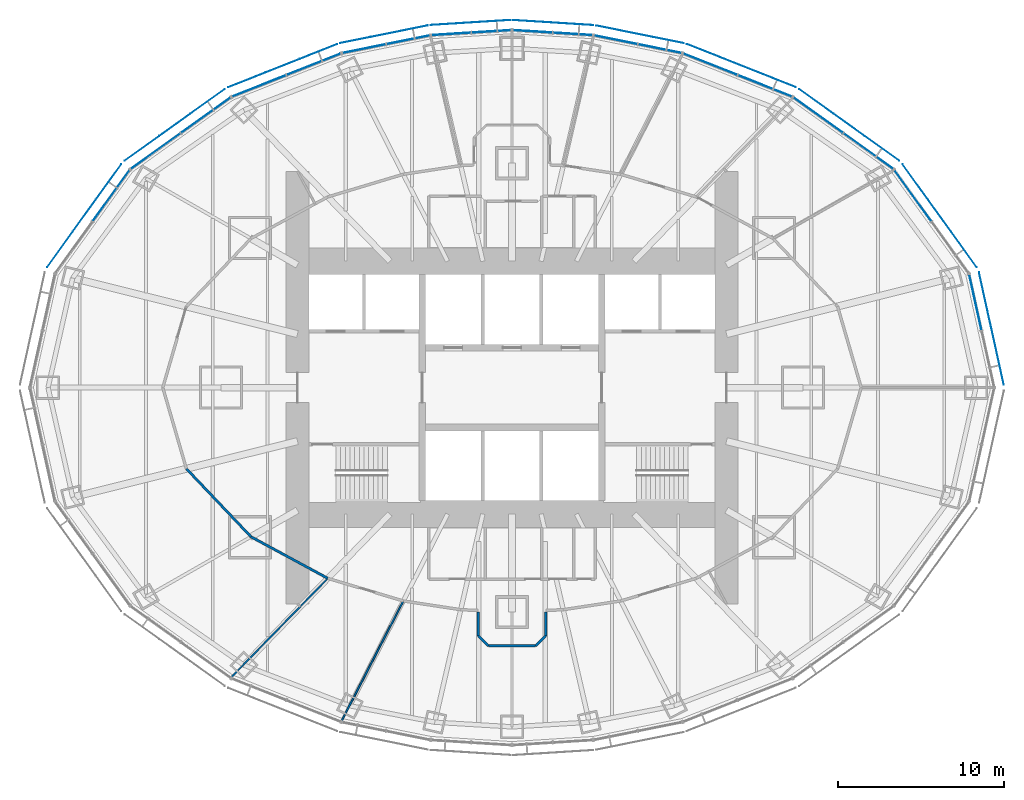
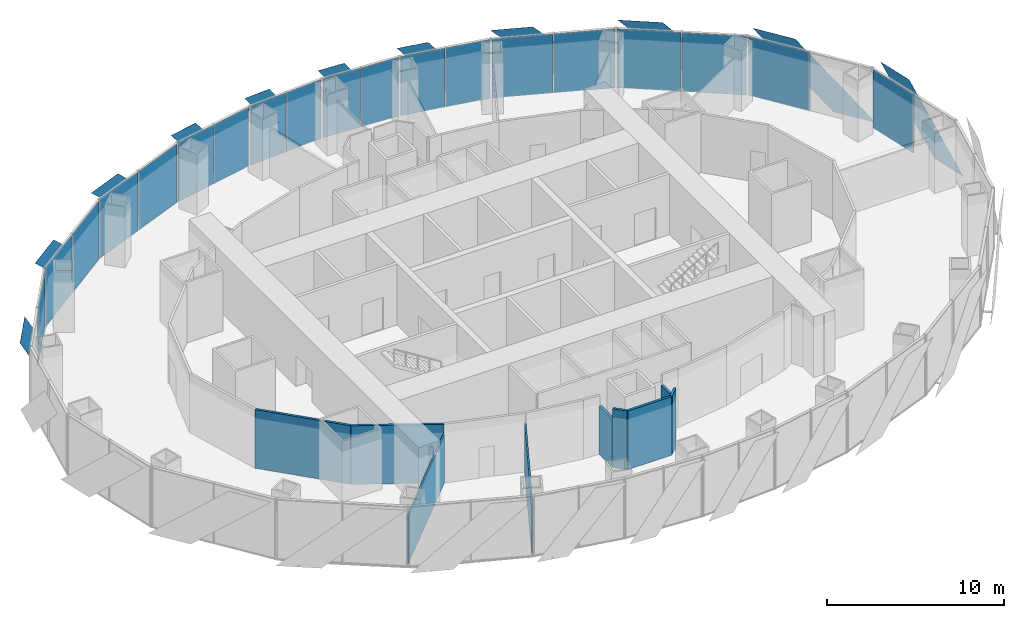
# One storey, part 10 of 18: 30 plates, 9 walls, 11 elements without a shape of their own.
"""IFC4 building model written with IfcOpenShell, lengths in metres."""

from ifc_helpers import new_model, si_unit, direction, frame, frame_2d, origin, origin_2d, place, context, subcontext, project, spatial, polyline, rectangle, outline, extrude, material, layer, layer_set, type_object, element, aggregate, save


model = new_model("IFC4")

# Units and contexts
model_context = context("Model", 3, precision=1e-05, world=origin(), true_north=direction((0.0, 1.0)))
body_context = subcontext(model_context, "Body", "Model", "MODEL_VIEW")
ifc_project = project(units=[si_unit("LENGTHUNIT", "METRE"), si_unit("AREAUNIT", "SQUARE_METRE"), si_unit("VOLUMEUNIT", "CUBIC_METRE"), si_unit("PLANEANGLEUNIT", "RADIAN"), si_unit("MASSUNIT", "GRAM", prefix="KILO")], contexts=[model_context])

# Site, building, storey
site_placement = place(None, origin())
site = spatial("IfcSite", under=ifc_project, at=site_placement, CompositionType="ELEMENT")
building_placement = place(site_placement, origin())
building = spatial("IfcBuilding", under=site, at=building_placement, Name="Lantaw Convention Tower", CompositionType="ELEMENT")
storey_placement = place(building_placement, frame((0.0, 0.0, 180.39990234375)))
storey = spatial("IfcBuildingStorey", under=building, at=storey_placement, Name="L42", CompositionType="ELEMENT", Elevation=180.39990234375)

# Curtain wall, plate
ifc_material_1 = material(Name="Aluminium framed curtain wall", Category="aluminium")
curtain_wall_type = type_object("IfcCurtainWallType", Name="Office curtain wall low rise, pale aluminium", PredefinedType="USERDEFINED", material=ifc_material_1)
curtain_wall_1_placement = place(storey_placement, origin())
curtain_wall_1 = element("IfcCurtainWall", 1, at=curtain_wall_1_placement, inside=storey, type_object=curtain_wall_type, Name="Office curtain wall low rise, pale aluminium L42", ObjectType="UNITISED CURTAIN WALL", PredefinedType="USERDEFINED")
ifc_material_2 = material(Name="Clear insulating glass", Category="glass")
ifc_layer_1 = layer(ifc_material_2, 0.028076171875)
ifc_layer_set_1 = layer_set([ifc_layer_1], Name="CW-O1 panel 28")
plate_type_1 = type_object("IfcPlateType", Name="CW-O1 panel 28", PredefinedType="CURTAIN_PANEL", material=ifc_layer_set_1)
plate_1_placement = place(storey_placement, frame((27.868896484375, 5.1240234375, -0.0849609375), z_axis=(0.0, 0.0, 1.0), x_axis=(-0.215546166174, 0.9764936509, 0.0)))
plate_1 = element("IfcPlate", 2, at=plate_1_placement, type_object=plate_type_1, Name="CW-O1 panel 2.1", PredefinedType="CURTAIN_PANEL", context=body_context, shape_type="SweptSolid", body=[
    extrude(rectangle(XDim=3.41162109375, YDim=0.028076171875, at=origin_2d()), origin(), (0.0, 0.0, 1.0), 4.070068359375),
])
aggregate(curtain_wall_1, [plate_1])

curtain_wall_2_placement = place(storey_placement, origin())
curtain_wall_2 = element("IfcCurtainWall", 3, at=curtain_wall_2_placement, inside=storey, type_object=curtain_wall_type, Name="Office curtain wall low rise, pale aluminium L42", ObjectType="UNITISED CURTAIN WALL", PredefinedType="USERDEFINED")
plate_2_placement = place(storey_placement, frame((24.108154296875, 11.5439453125, -0.0849609375), z_axis=(0.0, 0.0, 1.0), x_axis=(-0.584512597221, 0.811384633629, 0.0)))
plate_2 = element("IfcPlate", 4, at=plate_2_placement, type_object=plate_type_1, Name="CW-O1 panel 2.1", PredefinedType="CURTAIN_PANEL", context=body_context, shape_type="SweptSolid", body=[
    extrude(rectangle(XDim=3.767333984375, YDim=0.028076171875, at=origin_2d()), origin(), (0.0, 0.0, 1.0), 4.070068359375),
])
aggregate(curtain_wall_2, [plate_2])

# Curtain wall, plates
curtain_wall_3_placement = place(storey_placement, origin())
curtain_wall_3 = element("IfcCurtainWall", 5, at=curtain_wall_3_placement, inside=storey, type_object=curtain_wall_type, Name="Office curtain wall low rise, pale aluminium L42", ObjectType="UNITISED CURTAIN WALL", PredefinedType="USERDEFINED")
plate_3_placement = place(storey_placement, frame((21.43408203125, 14.2236328125, -0.0849609375), z_axis=(0.0, 0.0, 1.0), x_axis=(-0.813208325995, 0.581972695693, 0.0)))
plate_3 = element("IfcPlate", 6, at=plate_3_placement, type_object=plate_type_1, Name="CW-O1 panel 1.1", PredefinedType="CURTAIN_PANEL", context=body_context, shape_type="SweptSolid", body=[
    extrude(rectangle(XDim=3.645263671875, YDim=0.028076171875, at=origin_2d()), origin(), (0.0, 0.0, 1.0), 4.070068359375),
])
plate_4_placement = place(storey_placement, frame((18.416748046875, 16.383056640625, -0.0849609375), z_axis=(0.0, 0.0, 1.0), x_axis=(-0.813208325995, 0.581972695693, 0.0)))
plate_4 = element("IfcPlate", 7, at=plate_4_placement, type_object=plate_type_1, Name="CW-O1 panel 2.1", PredefinedType="CURTAIN_PANEL", context=body_context, shape_type="SweptSolid", body=[
    extrude(rectangle(XDim=3.645263671875, YDim=0.028076171875, at=origin_2d()), origin(), (0.0, 0.0, 1.0), 4.070068359375),
])
aggregate(curtain_wall_3, [plate_3, plate_4])

curtain_wall_4_placement = place(storey_placement, origin())
curtain_wall_4 = element("IfcCurtainWall", 8, at=curtain_wall_4_placement, inside=storey, type_object=curtain_wall_type, Name="Office curtain wall low rise, pale aluminium L42", ObjectType="UNITISED CURTAIN WALL", PredefinedType="USERDEFINED")
plate_5_placement = place(storey_placement, frame((15.208251953125, 18.145263671875, -0.0849609375), z_axis=(0.0, 0.0, 1.0), x_axis=(-0.929547687544, 0.368701907483, 0.0)))
plate_5 = element("IfcPlate", 9, at=plate_5_placement, type_object=plate_type_1, Name="CW-O1 panel 1.1", PredefinedType="CURTAIN_PANEL", context=body_context, shape_type="SweptSolid", body=[
    extrude(rectangle(XDim=3.470703125, YDim=0.028076171875, at=origin_2d()), origin(), (0.0, 0.0, 1.0), 4.070068359375),
])
plate_6_placement = place(storey_placement, frame((11.921630859375, 19.448974609375, -0.0849609375), z_axis=(0.0, 0.0, 1.0), x_axis=(-0.929547687544, 0.368701907483, 0.0)))
plate_6 = element("IfcPlate", 10, at=plate_6_placement, type_object=plate_type_1, Name="CW-O1 panel 2.1", PredefinedType="CURTAIN_PANEL", context=body_context, shape_type="SweptSolid", body=[
    extrude(rectangle(XDim=3.470703125, YDim=0.028076171875, at=origin_2d()), origin(), (0.0, 0.0, 1.0), 4.070068359375),
])
aggregate(curtain_wall_4, [plate_5, plate_6])

curtain_wall_5_placement = place(storey_placement, origin())
curtain_wall_5 = element("IfcCurtainWall", 11, at=curtain_wall_5_placement, inside=storey, type_object=curtain_wall_type, Name="Office curtain wall low rise, pale aluminium L42", ObjectType="UNITISED CURTAIN WALL", PredefinedType="USERDEFINED")
plate_7_placement = place(storey_placement, frame((8.893310546875, 20.3857421875, -0.0849609375), z_axis=(0.0, 0.0, 1.0), x_axis=(-0.980301514912, 0.197506809659, 0.0)))
plate_7 = element("IfcPlate", 12, at=plate_7_placement, type_object=plate_type_1, Name="CW-O1 panel 1.1", PredefinedType="CURTAIN_PANEL", context=body_context, shape_type="SweptSolid", body=[
    extrude(rectangle(XDim=2.634033203125, YDim=0.028076171875, at=origin_2d()), origin(), (0.0, 0.0, 1.0), 4.070068359375),
])
plate_8_placement = place(storey_placement, frame((6.247314453125, 20.9189453125, -0.0849609375), z_axis=(0.0, 0.0, 1.0), x_axis=(-0.980301514912, 0.197506809659, 0.0)))
plate_8 = element("IfcPlate", 13, at=plate_8_placement, type_object=plate_type_1, Name="CW-O1 panel 2.1", PredefinedType="CURTAIN_PANEL", context=body_context, shape_type="SweptSolid", body=[
    extrude(rectangle(XDim=2.634033203125, YDim=0.028076171875, at=origin_2d()), origin(), (0.0, 0.0, 1.0), 4.070068359375),
])
aggregate(curtain_wall_5, [plate_7, plate_8])

curtain_wall_6_placement = place(storey_placement, origin())
curtain_wall_6 = element("IfcCurtainWall", 14, at=curtain_wall_6_placement, inside=storey, type_object=curtain_wall_type, Name="Office curtain wall low rise, pale aluminium L42", ObjectType="UNITISED CURTAIN WALL", PredefinedType="USERDEFINED")
plate_9_placement = place(storey_placement, frame((3.653076171875, 21.269775390625, -0.0849609375), z_axis=(0.0, 0.0, 1.0), x_axis=(-0.998022035978, 0.062865059466, 0.0)))
plate_9 = element("IfcPlate", 15, at=plate_9_placement, type_object=plate_type_1, Name="CW-O1 panel 1.1", PredefinedType="CURTAIN_PANEL", context=body_context, shape_type="SweptSolid", body=[
    extrude(rectangle(XDim=2.353515625, YDim=0.028076171875, at=origin_2d()), origin(), (0.0, 0.0, 1.0), 4.070068359375),
])
plate_10_placement = place(storey_placement, frame((1.2392578125, 21.421875, -0.0849609375), z_axis=(0.0, 0.0, 1.0), x_axis=(-0.998022035978, 0.062865059466, 0.0)))
plate_10 = element("IfcPlate", 16, at=plate_10_placement, type_object=plate_type_1, Name="CW-O1 panel 2.1", PredefinedType="CURTAIN_PANEL", context=body_context, shape_type="SweptSolid", body=[
    extrude(rectangle(XDim=2.353515625, YDim=0.028076171875, at=origin_2d()), origin(), (0.0, 0.0, 1.0), 4.070068359375),
])
aggregate(curtain_wall_6, [plate_9, plate_10])

curtain_wall_7_placement = place(storey_placement, origin())
curtain_wall_7 = element("IfcCurtainWall", 17, at=curtain_wall_7_placement, inside=storey, type_object=curtain_wall_type, Name="Office curtain wall low rise, pale aluminium L42", ObjectType="UNITISED CURTAIN WALL", PredefinedType="USERDEFINED")
plate_11_placement = place(storey_placement, frame((-1.2392578125, 21.421875, -0.0849609375), z_axis=(0.0, 0.0, 1.0), x_axis=(-0.998022035978, -0.062865059466, 0.0)))
plate_11 = element("IfcPlate", 18, at=plate_11_placement, type_object=plate_type_1, Name="CW-O1 panel 1.1", PredefinedType="CURTAIN_PANEL", context=body_context, shape_type="SweptSolid", body=[
    extrude(rectangle(XDim=2.353515625, YDim=0.028076171875, at=origin_2d()), origin(), (0.0, 0.0, 1.0), 4.070068359375),
])
plate_12_placement = place(storey_placement, frame((-3.653076171875, 21.269775390625, -0.0849609375), z_axis=(0.0, 0.0, 1.0), x_axis=(-0.998022035978, -0.062865059466, 0.0)))
plate_12 = element("IfcPlate", 19, at=plate_12_placement, type_object=plate_type_1, Name="CW-O1 panel 2.1", PredefinedType="CURTAIN_PANEL", context=body_context, shape_type="SweptSolid", body=[
    extrude(rectangle(XDim=2.353515625, YDim=0.028076171875, at=origin_2d()), origin(), (0.0, 0.0, 1.0), 4.070068359375),
])
aggregate(curtain_wall_7, [plate_11, plate_12])

curtain_wall_8_placement = place(storey_placement, origin())
curtain_wall_8 = element("IfcCurtainWall", 20, at=curtain_wall_8_placement, inside=storey, type_object=curtain_wall_type, Name="Office curtain wall low rise, pale aluminium L42", ObjectType="UNITISED CURTAIN WALL", PredefinedType="USERDEFINED")
plate_13_placement = place(storey_placement, frame((-6.247314453125, 20.9189453125, -0.0849609375), z_axis=(0.0, 0.0, 1.0), x_axis=(-0.980301514912, -0.197506809659, 0.0)))
plate_13 = element("IfcPlate", 21, at=plate_13_placement, type_object=plate_type_1, Name="CW-O1 panel 1.1", PredefinedType="CURTAIN_PANEL", context=body_context, shape_type="SweptSolid", body=[
    extrude(rectangle(XDim=2.634033203125, YDim=0.028076171875, at=origin_2d()), origin(), (0.0, 0.0, 1.0), 4.070068359375),
])
plate_14_placement = place(storey_placement, frame((-8.893310546875, 20.3857421875, -0.0849609375), z_axis=(0.0, 0.0, 1.0), x_axis=(-0.980301514912, -0.197506809659, 0.0)))
plate_14 = element("IfcPlate", 22, at=plate_14_placement, type_object=plate_type_1, Name="CW-O1 panel 2.1", PredefinedType="CURTAIN_PANEL", context=body_context, shape_type="SweptSolid", body=[
    extrude(rectangle(XDim=2.634033203125, YDim=0.028076171875, at=origin_2d()), origin(), (0.0, 0.0, 1.0), 4.070068359375),
])
aggregate(curtain_wall_8, [plate_13, plate_14])

curtain_wall_9_placement = place(storey_placement, origin())
curtain_wall_9 = element("IfcCurtainWall", 23, at=curtain_wall_9_placement, inside=storey, type_object=curtain_wall_type, Name="Office curtain wall low rise, pale aluminium L42", ObjectType="UNITISED CURTAIN WALL", PredefinedType="USERDEFINED")
plate_15_placement = place(storey_placement, frame((-11.921630859375, 19.448974609375, -0.0849609375), z_axis=(0.0, 0.0, 1.0), x_axis=(-0.929547687544, -0.368701907483, 0.0)))
plate_15 = element("IfcPlate", 24, at=plate_15_placement, type_object=plate_type_1, Name="CW-O1 panel 1.1", PredefinedType="CURTAIN_PANEL", context=body_context, shape_type="SweptSolid", body=[
    extrude(rectangle(XDim=3.470703125, YDim=0.028076171875, at=origin_2d()), origin(), (0.0, 0.0, 1.0), 4.070068359375),
])
plate_16_placement = place(storey_placement, frame((-15.208251953125, 18.145263671875, -0.0849609375), z_axis=(0.0, 0.0, 1.0), x_axis=(-0.929547687544, -0.368701907483, 0.0)))
plate_16 = element("IfcPlate", 25, at=plate_16_placement, type_object=plate_type_1, Name="CW-O1 panel 2.1", PredefinedType="CURTAIN_PANEL", context=body_context, shape_type="SweptSolid", body=[
    extrude(rectangle(XDim=3.470703125, YDim=0.028076171875, at=origin_2d()), origin(), (0.0, 0.0, 1.0), 4.070068359375),
])
aggregate(curtain_wall_9, [plate_15, plate_16])

curtain_wall_10_placement = place(storey_placement, origin())
curtain_wall_10 = element("IfcCurtainWall", 26, at=curtain_wall_10_placement, inside=storey, type_object=curtain_wall_type, Name="Office curtain wall low rise, pale aluminium L42", ObjectType="UNITISED CURTAIN WALL", PredefinedType="USERDEFINED")
plate_17_placement = place(storey_placement, frame((-18.416748046875, 16.383056640625, -0.0849609375), z_axis=(0.0, 0.0, 1.0), x_axis=(-0.813208325995, -0.581972695693, 0.0)))
plate_17 = element("IfcPlate", 27, at=plate_17_placement, type_object=plate_type_1, Name="CW-O1 panel 1.1", PredefinedType="CURTAIN_PANEL", context=body_context, shape_type="SweptSolid", body=[
    extrude(rectangle(XDim=3.645263671875, YDim=0.028076171875, at=origin_2d()), origin(), (0.0, 0.0, 1.0), 4.070068359375),
])
plate_18_placement = place(storey_placement, frame((-21.43408203125, 14.2236328125, -0.0849609375), z_axis=(0.0, 0.0, 1.0), x_axis=(-0.813208325995, -0.581972695693, 0.0)))
plate_18 = element("IfcPlate", 28, at=plate_18_placement, type_object=plate_type_1, Name="CW-O1 panel 2.1", PredefinedType="CURTAIN_PANEL", context=body_context, shape_type="SweptSolid", body=[
    extrude(rectangle(XDim=3.645263671875, YDim=0.028076171875, at=origin_2d()), origin(), (0.0, 0.0, 1.0), 4.070068359375),
])
aggregate(curtain_wall_10, [plate_17, plate_18])

# Curtain wall, plate
curtain_wall_11_placement = place(storey_placement, origin())
curtain_wall_11 = element("IfcCurtainWall", 29, at=curtain_wall_11_placement, inside=storey, type_object=curtain_wall_type, Name="Office curtain wall low rise, pale aluminium L42", ObjectType="UNITISED CURTAIN WALL", PredefinedType="USERDEFINED")
plate_19_placement = place(storey_placement, frame((-24.108154296875, 11.5439453125, -0.0849609375), z_axis=(0.0, 0.0, 1.0), x_axis=(-0.584512597221, -0.811384633629, 0.0)))
plate_19 = element("IfcPlate", 30, at=plate_19_placement, type_object=plate_type_1, Name="CW-O1 panel 1.1", PredefinedType="CURTAIN_PANEL", context=body_context, shape_type="SweptSolid", body=[
    extrude(rectangle(XDim=3.767333984375, YDim=0.028076171875, at=origin_2d()), origin(), (0.0, 0.0, 1.0), 4.070068359375),
])
aggregate(curtain_wall_11, [plate_19])

# Plates
ifc_material_3 = material(Name="Perforated aluminium sheet, pale silver finish", Category="aluminium")
ifc_layer_2 = layer(ifc_material_3, 0.006103515625)
ifc_layer_set_2 = layer_set([ifc_layer_2], Name="Perforated aluminium solar SCREEN panel")
plate_type_2 = type_object("IfcPlateType", Name="Perforated aluminium solar SCREEN panel", PredefinedType="SHEET", material=ifc_layer_set_2)
plate_20_placement = place(storey_placement, frame((29.5810546875, 0.179443359375, -0.1748046875), z_axis=(0.976497812463, 0.215527309509, 3.3329045e-05), x_axis=(-0.215527309629, 0.976497813005, 1.665e-09)))
element("IfcPlate", 31, at=plate_20_placement, inside=storey, type_object=plate_type_2, Name="Solar SCREEN panel", PredefinedType="SHEET", context=body_context, shape_type="SweptSolid", body=[
    extrude(outline(polyline([(0.0, 0.0), (2.3861843673609986, 0.0), (6.918240190546627, 4.339843740891906), (4.532108442157707, 4.339843748837556), (0.0, 0.0)])), origin(), (0.0, 0.0, -1.0), 0.006103515625),
])
plate_21_placement = place(storey_placement, frame((27.94970703125, 7.248046875, -0.1748046875), z_axis=(0.81139512159, 0.584498037099, 3.5888803e-05), x_axis=(-0.584498037475, 0.811395122112, -9.74e-10)))
element("IfcPlate", 32, at=plate_21_placement, inside=storey, type_object=plate_type_2, Name="Solar SCREEN panel", PredefinedType="SHEET", context=body_context, shape_type="SweptSolid", body=[
    extrude(outline(polyline([(0.0, 0.0), (2.628222178575422, -6.776263578034403e-21), (7.629778257969264, 4.339843760228519), (5.001754173906077, 4.339843755107391), (0.0, 0.0)])), origin(), (0.0, 0.0, -1.0), 0.006103515625),
])
plate_22_placement = place(storey_placement, frame((23.281005859375, 13.64697265625, -0.1748046875), z_axis=(0.582000183937, 0.813188653244, 1.1537794e-05), x_axis=(-0.813188653298, 0.582000183975, 0.0)))
element("IfcPlate", 33, at=plate_22_placement, inside=storey, type_object=plate_type_2, Name="Solar SCREEN panel", PredefinedType="SHEET", context=body_context, shape_type="SweptSolid", body=[
    extrude(outline(polyline([(0.0, 0.0), (2.5450183911586484, 1.6940658945086007e-21), (7.385531276904658, 4.339843750288861), (4.840512885746009, 4.339843750288861), (0.0, 0.0)])), origin(), (0.0, 0.0, -1.0), 0.006103515625),
])
plate_23_placement = place(storey_placement, frame((17.05859375, 18.063232421875, -0.1748046875), z_axis=(-0.368708915367, -0.929544907797, 1.0867661e-05), x_axis=(-0.929544907851, 0.368708915389, 7.1e-10)))
element("IfcPlate", 34, at=plate_23_placement, inside=storey, type_object=plate_type_2, Name="Solar SCREEN panel", PredefinedType="SHEET", context=body_context, shape_type="SweptSolid", body=[
    extrude(outline(polyline([(0.0, 0.0), (2.4263803793049097, 0.0), (7.036549629566982, -4.339843745261612), (4.61003232741235, -4.339843748706285), (0.0, 0.0)])), origin(), (0.0, 0.0, -1.0), 0.006103515625),
])
plate_24_placement = place(storey_placement, frame((10.318603515625, 20.716796875, -0.1748046875), z_axis=(0.197556725442, 0.980291455983, 3.9485719e-05), x_axis=(-0.980291456747, 0.197556725596, 0.0)))
element("IfcPlate", 35, at=plate_24_placement, inside=storey, type_object=plate_type_2, Name="Solar SCREEN panel", PredefinedType="SHEET", context=body_context, shape_type="SweptSolid", body=[
    extrude(outline(polyline([(0.0, 0.0), (1.8574075788555457, 1.6940658945086007e-21), (5.362987026845185, 4.339843753383173), (3.505579447989639, 4.339843753383173), (0.0, 0.0)])), origin(), (0.0, 0.0, -1.0), 0.006103515625),
])
plate_25_placement = place(storey_placement, frame((4.880615234375, 21.7998046875, -0.1748046875), z_axis=(0.062838799866, 0.998023689713, 1.755158e-06), x_axis=(-0.998023689715, 0.062838799866, -8e-12)))
element("IfcPlate", 36, at=plate_25_placement, inside=storey, type_object=plate_type_2, Name="Solar SCREEN panel", PredefinedType="SHEET", context=body_context, shape_type="SweptSolid", body=[
    extrude(outline(polyline([(0.0, 0.0), (1.6666243269452135, 2.6469779601696886e-23), (4.802214797186689, 4.339843750045478), (3.135346812114104, 4.33984375001855), (0.0, 0.0)])), origin(), (0.0, 0.0, -1.0), 0.006103515625),
])
plate_26_placement = place(storey_placement, frame((-0.087890625, 22.1015625, -0.1748046875), z_axis=(0.062838799866, -0.998023689713, 1.755158e-06), x_axis=(-0.998023689715, -0.062838799866, 8e-12)))
element("IfcPlate", 37, at=plate_26_placement, inside=storey, type_object=plate_type_2, Name="Solar SCREEN panel", PredefinedType="SHEET", context=body_context, shape_type="SweptSolid", body=[
    extrude(outline(polyline([(0.0, 0.0), (1.6668679850725854, -5.293955920339377e-23), (4.802214797256801, -4.339843749967897), (3.1355904703115876, -4.339843749994822), (0.0, 0.0)])), origin(), (0.0, 0.0, -1.0), 0.006103515625),
])
plate_27_placement = place(storey_placement, frame((-5.061279296875, 21.776123046875, -0.1748046875), z_axis=(0.197556725442, -0.980291455983, 3.9485719e-05), x_axis=(-0.980291456747, -0.197556725596, 0.0)))
element("IfcPlate", 38, at=plate_27_placement, inside=storey, type_object=plate_type_2, Name="Solar SCREEN panel", PredefinedType="SHEET", context=body_context, shape_type="SweptSolid", body=[
    extrude(outline(polyline([(0.0, 0.0), (1.8574075788555457, -1.6940658945086007e-21), (5.362987026845185, -4.339843753383173), (3.505579447989639, -4.339843753383173), (0.0, 0.0)])), origin(), (0.0, 0.0, -1.0), 0.006103515625),
])
plate_28_placement = place(storey_placement, frame((-10.517822265625, 20.65771484375, -0.1748046875), z_axis=(-0.368708915367, 0.929544907797, 1.0867661e-05), x_axis=(-0.929544907851, -0.368708915389, -7.1e-10)))
element("IfcPlate", 39, at=plate_28_placement, inside=storey, type_object=plate_type_2, Name="Solar SCREEN panel", PredefinedType="SHEET", context=body_context, shape_type="SweptSolid", body=[
    extrude(outline(polyline([(0.0, 0.0), (2.426517302154632, 1.6940658945086007e-21), (7.036549623406159, 4.339843755250667), (4.610169244101249, 4.339843751806188), (0.0, 0.0)])), origin(), (0.0, 0.0, -1.0), 0.006103515625),
])
plate_29_placement = place(storey_placement, frame((-17.275146484375, 17.9453125, -0.1748046875), z_axis=(0.582000183937, -0.813188653244, 1.1537794e-05), x_axis=(-0.813188653298, -0.582000183975, 0.0)))
element("IfcPlate", 40, at=plate_29_placement, inside=storey, type_object=plate_type_2, Name="Solar SCREEN panel", PredefinedType="SHEET", context=body_context, shape_type="SweptSolid", body=[
    extrude(outline(polyline([(0.0, 0.0), (2.5450183911586484, -1.6940658945086007e-21), (7.385531276904658, -4.339843750288861), (4.840512885746009, -4.339843750288861), (0.0, 0.0)])), origin(), (0.0, 0.0, -1.0), 0.006103515625),
])
plate_30_placement = place(storey_placement, frame((-23.489990234375, 13.438720703125, -0.1748046875), z_axis=(0.81139512159, -0.584498037099, 3.5888803e-05), x_axis=(-0.584498037475, -0.811395122112, 9.74e-10)))
element("IfcPlate", 41, at=plate_30_placement, inside=storey, type_object=plate_type_2, Name="Solar SCREEN panel", PredefinedType="SHEET", context=body_context, shape_type="SweptSolid", body=[
    extrude(outline(polyline([(0.0, 0.0), (2.6280240840631874, 6.776263578034403e-21), (7.62977826642615, -4.339843745360666), (5.001556087850728, -4.3398437504821805), (0.0, 0.0)])), origin(), (0.0, 0.0, -1.0), 0.006103515625),
])

# Walls
ifc_material_4 = material(Name="Gypsum board on steel studs, fire rated", Category="steel")
ifc_layer_3 = layer(ifc_material_4, 0.14990234375)
ifc_layer_set_3 = layer_set([ifc_layer_3], Name="Corridor wall 150 EI 60")
wall_type_1 = type_object("IfcWallType", Name="Corridor wall 150 EI 60", PredefinedType="PARTITIONING", material=ifc_layer_set_3)
wall_1_placement = place(storey_placement, frame((-19.5791015625, -4.881591796875, 0.0), z_axis=(0.0, 0.0, 1.0), x_axis=(0.688797257101, -0.72495402517, 0.0)))
element("IfcWall", 42, at=wall_1_placement, inside=storey, type_object=wall_type_1, Name="Corridor wall 150", PredefinedType="PARTITIONING", context=body_context, shape_type="SweptSolid", body=[
    extrude(rectangle(XDim=5.63818359375, YDim=0.14990234375, at=frame_2d((2.819091796875, 0.0))), origin(), (0.0, 0.0, 1.0), 4.050048828125),
])
wall_2_placement = place(storey_placement, frame((-15.695556640625, -8.968994140625, 0.0), z_axis=(0.0, 0.0, 1.0), x_axis=(0.879436285334, -0.476016617397, 0.0)))
element("IfcWall", 43, at=wall_2_placement, inside=storey, type_object=wall_type_1, Name="Corridor wall 150", PredefinedType="PARTITIONING", context=body_context, shape_type="SweptSolid", body=[
    extrude(rectangle(XDim=5.2529296875, YDim=0.14990234375, at=frame_2d((2.62646484375, 0.0))), origin(), (0.0, 0.0, 1.0), 4.050048828125),
])
for number, where, z_axis, x_axis, name in (
    (44, (-2.02490234375, -14.924560546875, 0.0), (0.0, 0.0, 1.0), (0.0, 1.0, 0.0), "Corridor wall 150"),
    (45, (2.02490234375, -13.505126953125, 0.0), (0.0, 0.0, 1.0), (0.0, -1.0, 0.0), "Corridor wall 150"),
):
    element("IfcWall", number, at=place(storey_placement, frame(where, z_axis=z_axis, x_axis=x_axis)), inside=storey, type_object=wall_type_1, Name=name, PredefinedType="PARTITIONING", context=body_context, shape_type="SweptSolid", body=[
        extrude(rectangle(XDim=1.41943359375, YDim=0.14990234375, at=frame_2d((0.709716796875, 0.0))), origin(), (0.0, 0.0, 1.0), 3.366943359375),
    ])
wall_3_placement = place(storey_placement, frame((2.02490234375, -14.924560546875, 0.0), z_axis=(0.0, 0.0, 1.0), x_axis=(-0.707106781187, -0.707106781187, 0.0)))
element("IfcWall", 46, at=wall_3_placement, inside=storey, type_object=wall_type_1, Name="Corridor wall 150", PredefinedType="PARTITIONING", context=body_context, shape_type="SweptSolid", body=[
    extrude(rectangle(XDim=0.84912109375, YDim=0.14990234375, at=frame_2d((0.424560546875, 0.0))), origin(), (0.0, 0.0, 1.0), 4.050048828125),
])
wall_4_placement = place(storey_placement, frame((1.424560546875, -15.52490234375, 0.0), z_axis=(0.0, 0.0, 1.0), x_axis=(-1.0, 0.0, 0.0)))
element("IfcWall", 47, at=wall_4_placement, inside=storey, type_object=wall_type_1, Name="Corridor wall 150", PredefinedType="PARTITIONING", context=body_context, shape_type="SweptSolid", body=[
    extrude(rectangle(XDim=2.84912109375, YDim=0.14990234375, at=frame_2d((1.424560546875, 0.0))), origin(), (0.0, 0.0, 1.0), 4.050048828125),
])
wall_5_placement = place(storey_placement, frame((-1.424560546875, -15.52490234375, 0.0), z_axis=(0.0, 0.0, 1.0), x_axis=(-0.707106781187, 0.707106781187, 0.0)))
element("IfcWall", 48, at=wall_5_placement, inside=storey, type_object=wall_type_1, Name="Corridor wall 150", PredefinedType="PARTITIONING", context=body_context, shape_type="SweptSolid", body=[
    extrude(rectangle(XDim=0.84912109375, YDim=0.14990234375, at=frame_2d((0.424560546875, 0.0))), origin(), (0.0, 0.0, 1.0), 4.050048828125),
])
ifc_material_5 = material(Name="Gypsum board on steel studs, acoustic", Category="steel")
ifc_layer_4 = layer(ifc_material_5, 0.10009765625)
ifc_layer_set_4 = layer_set([ifc_layer_4], Name="Office partition 100")
wall_type_2 = type_object("IfcWallType", Name="Office partition 100", PredefinedType="PARTITIONING", material=ifc_layer_set_4)
wall_6_placement = place(storey_placement, frame((-16.88232421875, -17.413818359375, 0.0), z_axis=(0.0, 0.0, 1.0), x_axis=(0.698758056249, 0.715358077348, 0.0)))
element("IfcWall", 49, at=wall_6_placement, inside=storey, type_object=wall_type_2, Name="Office partition 100", PredefinedType="PARTITIONING", context=body_context, shape_type="SweptSolid", body=[
    extrude(rectangle(XDim=8.3095703125, YDim=0.10009765625, at=frame_2d((4.15478515625, 0.0))), origin(), (0.0, 0.0, 1.0), 3.321044921875),
])
wall_7_placement = place(storey_placement, frame((-10.253173828125, -20.0517578125, 0.0), z_axis=(0.0, 0.0, 1.0), x_axis=(0.457535449567, 0.889191381194, 0.0)))
element("IfcWall", 50, at=wall_7_placement, inside=storey, type_object=wall_type_2, Name="Office partition 100", PredefinedType="PARTITIONING", context=body_context, shape_type="SweptSolid", body=[
    extrude(rectangle(XDim=8.12255859375, YDim=0.10009765625, at=frame_2d((4.061279296875, 0.0))), origin(), (0.0, 0.0, 1.0), 3.34912109375),
])

save(model, "model.ifc")
